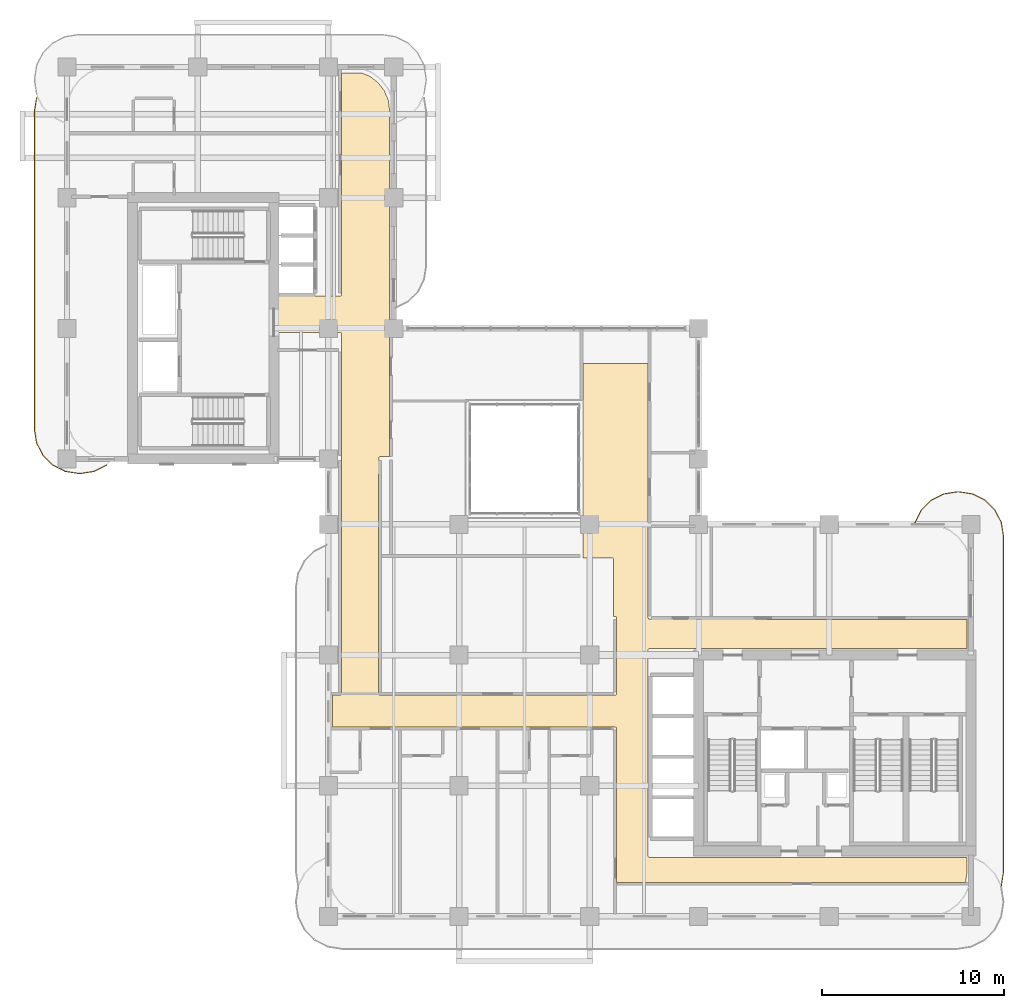
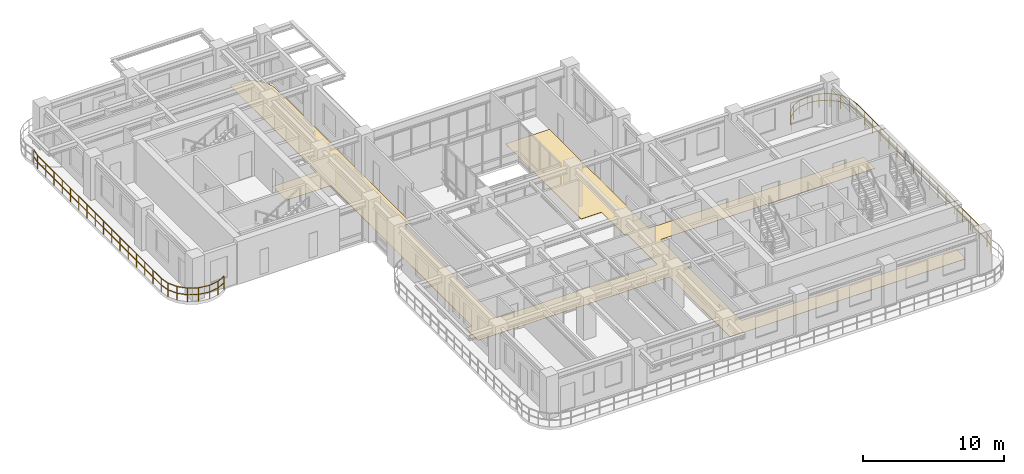
# One storey, part 19 of 20: 2 railings, 1 covering.
"""IFC4 building model written with IfcOpenShell, lengths in metres."""

from ifc_helpers import new_model, si_unit, derived_unit, direction, frame, origin, origin_2d, place, context, subcontext, project, spatial, polyline, rectangle, outline, extrude, material, layer, layer_set, type_object, element, save


model = new_model("IFC4")

# Units and contexts
model_context = context("Model", 3, precision=1e-05, world=origin(), true_north=direction((0.0, 1.0)))
body_context = subcontext(model_context, "Body", "Model", "MODEL_VIEW")
ifc_project = project(units=[si_unit("LENGTHUNIT", "METRE"), si_unit("AREAUNIT", "SQUARE_METRE"), si_unit("VOLUMEUNIT", "CUBIC_METRE"), si_unit("PLANEANGLEUNIT", "RADIAN"), si_unit("MASSUNIT", "GRAM", prefix="KILO"), si_unit("THERMODYNAMICTEMPERATUREUNIT", "KELVIN"), si_unit("POWERUNIT", "WATT"), derived_unit("THERMALTRANSMITTANCEUNIT", [(si_unit("POWERUNIT", "WATT"), 1), (si_unit("AREAUNIT", "SQUARE_METRE"), -1), (si_unit("THERMODYNAMICTEMPERATUREUNIT", "KELVIN"), -1)])], contexts=[model_context])

# Site, building, storey
site_placement = place(None, origin())
site = spatial("IfcSite", under=ifc_project, at=site_placement, CompositionType="ELEMENT")
building_placement = place(site_placement, origin())
building = spatial("IfcBuilding", under=site, at=building_placement, Name="Zahravan Archway Hotel and Residences", CompositionType="ELEMENT")
storey_placement = place(building_placement, frame((0.0, 0.0, 119.199951171875)))
storey = spatial("IfcBuildingStorey", under=building, at=storey_placement, Name="L29", CompositionType="ELEMENT", Elevation=119.199951171875)

# Covering
ifc_material_1 = material(Name="Engineered Walnut Parquet Flooring")
ifc_layer = layer(ifc_material_1, 0.02197265625, Name="Engineered Walnut Parquet Flooring")
ifc_layer_set = layer_set([ifc_layer], Name="Engineered Walnut Parquet Flooring")
covering_type = type_object("IfcCoveringType", Name="COV-FLR-TIMB", PredefinedType="FLOORING", material=ifc_layer_set)
covering_placement = place(storey_placement, origin())
element("IfcCovering", 1, at=covering_placement, inside=storey, type_object=covering_type, Name="L29 Circulation Floor Finish", PredefinedType="FLOORING", context=body_context, shape_type="SweptSolid", body=[
    extrude(outline(polyline([(32.09228515625, 14.754638671875), (32.04931640625, 14.73681640625), (32.0234375, 14.6982421875), (32.02001953125, 3.324951171875), (32.033447265625, 3.280517578125), (32.0693359375, 3.251220703125), (49.580078125, 3.2451171875), (49.580078125, 2.414306640625), (49.509521484375, 1.8798828125), (30.280029296875, 1.8798828125), (30.280029296875, 10.35009765625), (30.2666015625, 10.394287109375), (30.230712890625, 10.423828125), (14.6201171875, 10.429931640625), (14.6201171875, 12.18994140625), (15.050048828125, 12.18994140625), (15.094482421875, 12.20361328125), (15.123779296875, 12.239501953125), (15.1298828125, 32.10009765625), (15.116455078125, 32.144287109375), (15.08056640625, 32.173828125), (11.530029296875, 32.179931640625), (11.530029296875, 34.169921875), (15.050048828125, 34.169921875), (15.094482421875, 34.18359375), (15.123779296875, 34.219482421875), (15.1298828125, 46.469970703125), (16.24560546875, 46.469970703125), (16.689208984375, 46.286376953125), (17.14013671875, 45.940185546875), (17.486328125, 45.489013671875), (17.703857421875, 44.9638671875), (17.77001953125, 44.46142578125), (17.77001953125, 25.330078125), (17.25, 25.330078125), (17.20556640625, 25.31640625), (17.176025390625, 25.280517578125), (17.169921875, 12.27001953125), (17.18359375, 12.2255859375), (17.219482421875, 12.196044921875), (30.199951171875, 12.18994140625), (30.244384765625, 12.20361328125), (30.27392578125, 12.239501953125), (30.280029296875, 16.449951171875), (30.2666015625, 16.494384765625), (30.230712890625, 16.52392578125), (30.10009765625, 16.530029296875), (30.10009765625, 19.719970703125), (30.072998046875, 19.75), (28.429931640625, 19.75), (28.429931640625, 30.469970703125), (32.02001953125, 30.469970703125), (32.02001953125, 16.449951171875), (32.033447265625, 16.405517578125), (32.0693359375, 16.376220703125), (49.580078125, 16.3701171875), (49.580078125, 14.7548828125), (32.10009765625, 14.7548828125), (32.09228515625, 14.754638671875)])), origin(), (0.0, 0.0, 1.0), 0.02197265625),
])

# Railings
ifc_material_2 = material(Name="Bronze & Laminated Glass Balustrade", Category="glass")
railing_type = type_object("IfcRailingType", Name="RL-BAL-1200", PredefinedType="BALUSTRADE", material=ifc_material_2)
railing_1_placement = place(storey_placement, frame((46.719970703125, 21.70703125, 0.0)))
element("IfcRailing", 2, at=railing_1_placement, inside=storey, type_object=railing_type, Name="L29 Balustrade RL-SLB-BAL-L29-EA-1", PredefinedType="BALUSTRADE", context=body_context, shape_type="SweptSolid", body=[
    extrude(rectangle(XDim=0.048095703125, YDim=0.048095703125, at=origin_2d()), frame((0.0, 0.0, 1.17578125), z_axis=(0.453825591531, 0.891090529897, 0.0), x_axis=(-0.891090529897, 0.453825591531, 0.0)), (0.0, 0.0, 1.0), 0.7666015625),
    extrude(rectangle(XDim=0.048095703125, YDim=0.048095703125, at=origin_2d()), frame((0.0, 0.0, 0.60009765625), z_axis=(0.453825591531, 0.891090529897, 0.0), x_axis=(-0.891090529897, 0.453825591531, 0.0)), (0.0, 0.0, 1.0), 0.7666015625),
    extrude(rectangle(XDim=0.048095703125, YDim=0.048095703125, at=origin_2d()), frame((0.347900390625, 0.68310546875, 1.17578125), z_axis=(0.707106781187, 0.707106781187, 0.0), x_axis=(-0.707106781187, 0.707106781187, 0.0)), (0.0, 0.0, 1.0), 0.7666015625),
    extrude(rectangle(XDim=0.048095703125, YDim=0.048095703125, at=origin_2d()), frame((0.347900390625, 0.68310546875, 0.60009765625), z_axis=(0.707106781187, 0.707106781187, 0.0), x_axis=(-0.707106781187, 0.707106781187, 0.0)), (0.0, 0.0, 1.0), 0.7666015625),
    extrude(rectangle(XDim=0.048095703125, YDim=0.048095703125, at=origin_2d()), frame((0.889892578125, 1.22509765625, 1.17578125), z_axis=(0.891090529897, 0.453825591531, 0.0), x_axis=(-0.453825591531, 0.891090529897, 0.0)), (0.0, 0.0, 1.0), 0.7666015625),
    extrude(rectangle(XDim=0.048095703125, YDim=0.048095703125, at=origin_2d()), frame((0.889892578125, 1.22509765625, 0.60009765625), z_axis=(0.891090529897, 0.453825591531, 0.0), x_axis=(-0.453825591531, 0.891090529897, 0.0)), (0.0, 0.0, 1.0), 0.7666015625),
    extrude(rectangle(XDim=0.048095703125, YDim=0.048095703125, at=origin_2d()), frame((1.572998046875, 1.572998046875, 1.17578125), z_axis=(0.987695728695, 0.156387811283, 0.0), x_axis=(-0.156387811283, 0.987695728695, 0.0)), (0.0, 0.0, 1.0), 0.7666015625),
    extrude(rectangle(XDim=0.048095703125, YDim=0.048095703125, at=origin_2d()), frame((1.572998046875, 1.572998046875, 0.60009765625), z_axis=(0.987695728695, 0.156387811283, 0.0), x_axis=(-0.156387811283, 0.987695728695, 0.0)), (0.0, 0.0, 1.0), 0.7666015625),
    extrude(rectangle(XDim=0.048095703125, YDim=0.048095703125, at=origin_2d()), frame((2.330078125, 1.69287109375, 1.17578125), z_axis=(1.0, 0.0, 0.0), x_axis=(0.0, 1.0, 0.0)), (0.0, 0.0, 1.0), 0.099853515625),
    extrude(rectangle(XDim=0.048095703125, YDim=0.048095703125, at=origin_2d()), frame((2.330078125, 1.69287109375, 0.60009765625), z_axis=(1.0, 0.0, 0.0), x_axis=(0.0, 1.0, 0.0)), (0.0, 0.0, 1.0), 0.099853515625),
    extrude(rectangle(XDim=0.048095703125, YDim=0.048095703125, at=origin_2d()), frame((2.429931640625, 1.69287109375, 1.17578125), z_axis=(0.987695728695, -0.156387811283, 0.0), x_axis=(0.156387811283, 0.987695728695, 0.0)), (0.0, 0.0, 1.0), 0.7666015625),
    extrude(rectangle(XDim=0.048095703125, YDim=0.048095703125, at=origin_2d()), frame((2.429931640625, 1.69287109375, 0.60009765625), z_axis=(0.987695728695, -0.156387811283, 0.0), x_axis=(0.156387811283, 0.987695728695, 0.0)), (0.0, 0.0, 1.0), 0.7666015625),
    extrude(rectangle(XDim=0.048095703125, YDim=0.048095703125, at=origin_2d()), frame((3.18701171875, 1.572998046875, 1.17578125), z_axis=(0.891090529897, -0.453825591531, 0.0), x_axis=(0.453825591531, 0.891090529897, 0.0)), (0.0, 0.0, 1.0), 0.7666015625),
    extrude(rectangle(XDim=0.048095703125, YDim=0.048095703125, at=origin_2d()), frame((3.18701171875, 1.572998046875, 0.60009765625), z_axis=(0.891090529897, -0.453825591531, 0.0), x_axis=(0.453825591531, 0.891090529897, 0.0)), (0.0, 0.0, 1.0), 0.7666015625),
    extrude(rectangle(XDim=0.048095703125, YDim=0.048095703125, at=origin_2d()), frame((3.8701171875, 1.22509765625, 1.17578125), z_axis=(0.707106781187, -0.707106781187, 0.0), x_axis=(0.707106781187, 0.707106781187, 0.0)), (0.0, 0.0, 1.0), 0.7666015625),
    extrude(rectangle(XDim=0.048095703125, YDim=0.048095703125, at=origin_2d()), frame((3.8701171875, 1.22509765625, 0.60009765625), z_axis=(0.707106781187, -0.707106781187, 0.0), x_axis=(0.707106781187, 0.707106781187, 0.0)), (0.0, 0.0, 1.0), 0.7666015625),
    extrude(rectangle(XDim=0.048095703125, YDim=0.048095703125, at=origin_2d()), frame((4.412109375, 0.68310546875, 1.17578125), z_axis=(0.453825591531, -0.891090529897, 0.0), x_axis=(0.891090529897, 0.453825591531, 0.0)), (0.0, 0.0, 1.0), 0.7666015625),
    extrude(rectangle(XDim=0.048095703125, YDim=0.048095703125, at=origin_2d()), frame((4.412109375, 0.68310546875, 0.60009765625), z_axis=(0.453825591531, -0.891090529897, 0.0), x_axis=(0.891090529897, 0.453825591531, 0.0)), (0.0, 0.0, 1.0), 0.7666015625),
    extrude(rectangle(XDim=0.048095703125, YDim=0.048095703125, at=origin_2d()), frame((4.760009765625, 0.0, 1.17578125), z_axis=(0.156698507018, -0.987646484274, 0.0), x_axis=(0.987646484274, 0.156698507018, 0.0)), (0.0, 0.0, 1.0), 0.7666015625),
    extrude(rectangle(XDim=0.048095703125, YDim=0.048095703125, at=origin_2d()), frame((4.760009765625, 0.0, 0.60009765625), z_axis=(0.156698507018, -0.987646484274, 0.0), x_axis=(0.987646484274, 0.156698507018, 0.0)), (0.0, 0.0, 1.0), 0.7666015625),
    extrude(rectangle(XDim=0.048095703125, YDim=0.048095703125, at=origin_2d()), frame((4.880126953125, -0.757080078125, 1.17578125), z_axis=(0.0, -1.0, 0.0), x_axis=(1.0, 0.0, 0.0)), (0.0, 0.0, 1.0), 18.5),
    extrude(rectangle(XDim=0.048095703125, YDim=0.048095703125, at=origin_2d()), frame((4.880126953125, -0.757080078125, 0.60009765625), z_axis=(0.0, -1.0, 0.0), x_axis=(1.0, 0.0, 0.0)), (0.0, 0.0, 1.0), 18.5),
    extrude(rectangle(XDim=0.048095703125, YDim=0.048095703125, at=origin_2d()), frame((4.880126953125, -19.257080078125, 1.17578125), z_axis=(-0.156698507018, -0.987646484274, 0.0), x_axis=(0.987646484274, -0.156698507018, 0.0)), (0.0, 0.0, 1.0), 0.7666015625),
    extrude(rectangle(XDim=0.048095703125, YDim=0.048095703125, at=origin_2d()), frame((4.880126953125, -19.257080078125, 0.60009765625), z_axis=(-0.156698507018, -0.987646484274, 0.0), x_axis=(0.987646484274, -0.156698507018, 0.0)), (0.0, 0.0, 1.0), 0.7666015625),
    extrude(rectangle(XDim=0.0419921875, YDim=0.0419921875, at=origin_2d()), origin(), (0.0, 0.0, 1.0), 1.15185546875),
    extrude(rectangle(XDim=0.0419921875, YDim=0.0419921875, at=origin_2d()), frame((0.347900390625, 0.68310546875, 0.0)), (0.0, 0.0, 1.0), 1.15185546875),
    extrude(rectangle(XDim=0.0419921875, YDim=0.0419921875, at=origin_2d()), frame((0.889892578125, 1.22509765625, 0.0)), (0.0, 0.0, 1.0), 1.15185546875),
    extrude(rectangle(XDim=0.0419921875, YDim=0.0419921875, at=origin_2d()), frame((1.572998046875, 1.572998046875, 0.0)), (0.0, 0.0, 1.0), 1.15185546875),
    extrude(rectangle(XDim=0.0419921875, YDim=0.0419921875, at=origin_2d()), frame((2.330078125, 1.69287109375, 0.0)), (0.0, 0.0, 1.0), 1.15185546875),
    extrude(rectangle(XDim=0.0419921875, YDim=0.0419921875, at=origin_2d()), frame((3.18701171875, 1.572998046875, 0.0)), (0.0, 0.0, 1.0), 1.15185546875),
    extrude(rectangle(XDim=0.0419921875, YDim=0.0419921875, at=origin_2d()), frame((3.8701171875, 1.22509765625, 0.0)), (0.0, 0.0, 1.0), 1.15185546875),
    extrude(rectangle(XDim=0.0419921875, YDim=0.0419921875, at=origin_2d()), frame((4.412109375, 0.68310546875, 0.0)), (0.0, 0.0, 1.0), 1.15185546875),
    extrude(rectangle(XDim=0.0419921875, YDim=0.0419921875, at=origin_2d()), frame((4.760009765625, 0.0, 0.0)), (0.0, 0.0, 1.0), 1.15185546875),
    extrude(rectangle(XDim=0.0419921875, YDim=0.0419921875, at=origin_2d()), frame((4.880126953125, -0.757080078125, 0.0)), (0.0, 0.0, 1.0), 1.15185546875),
    extrude(rectangle(XDim=0.0419921875, YDim=0.0419921875, at=origin_2d()), frame((4.880126953125, -1.913330078125, 0.0)), (0.0, 0.0, 1.0), 1.15185546875),
    extrude(rectangle(XDim=0.0419921875, YDim=0.0419921875, at=origin_2d()), frame((4.880126953125, -3.069580078125, 0.0)), (0.0, 0.0, 1.0), 1.15185546875),
    extrude(rectangle(XDim=0.0419921875, YDim=0.0419921875, at=origin_2d()), frame((4.880126953125, -4.225830078125, 0.0)), (0.0, 0.0, 1.0), 1.15185546875),
    extrude(rectangle(XDim=0.0419921875, YDim=0.0419921875, at=origin_2d()), frame((4.880126953125, -5.382080078125, 0.0)), (0.0, 0.0, 1.0), 1.15185546875),
    extrude(rectangle(XDim=0.0419921875, YDim=0.0419921875, at=origin_2d()), frame((4.880126953125, -6.538330078125, 0.0)), (0.0, 0.0, 1.0), 1.15185546875),
    extrude(rectangle(XDim=0.0419921875, YDim=0.0419921875, at=origin_2d()), frame((4.880126953125, -7.694580078125, 0.0)), (0.0, 0.0, 1.0), 1.15185546875),
    extrude(rectangle(XDim=0.0419921875, YDim=0.0419921875, at=origin_2d()), frame((4.880126953125, -8.850830078125, 0.0)), (0.0, 0.0, 1.0), 1.15185546875),
    extrude(rectangle(XDim=0.0419921875, YDim=0.0419921875, at=origin_2d()), frame((4.880126953125, -10.007080078125, 0.0)), (0.0, 0.0, 1.0), 1.15185546875),
    extrude(rectangle(XDim=0.0419921875, YDim=0.0419921875, at=origin_2d()), frame((4.880126953125, -11.163330078125, 0.0)), (0.0, 0.0, 1.0), 1.15185546875),
    extrude(rectangle(XDim=0.0419921875, YDim=0.0419921875, at=origin_2d()), frame((4.880126953125, -12.319580078125, 0.0)), (0.0, 0.0, 1.0), 1.15185546875),
    extrude(rectangle(XDim=0.0419921875, YDim=0.0419921875, at=origin_2d()), frame((4.880126953125, -13.475830078125, 0.0)), (0.0, 0.0, 1.0), 1.15185546875),
    extrude(rectangle(XDim=0.0419921875, YDim=0.0419921875, at=origin_2d()), frame((4.880126953125, -14.632080078125, 0.0)), (0.0, 0.0, 1.0), 1.15185546875),
    extrude(rectangle(XDim=0.0419921875, YDim=0.0419921875, at=origin_2d()), frame((4.880126953125, -15.788330078125, 0.0)), (0.0, 0.0, 1.0), 1.15185546875),
    extrude(rectangle(XDim=0.0419921875, YDim=0.0419921875, at=origin_2d()), frame((4.880126953125, -16.944580078125, 0.0)), (0.0, 0.0, 1.0), 1.15185546875),
    extrude(rectangle(XDim=0.0419921875, YDim=0.0419921875, at=origin_2d()), frame((4.880126953125, -18.100830078125, 0.0)), (0.0, 0.0, 1.0), 1.15185546875),
    extrude(rectangle(XDim=0.0419921875, YDim=0.0419921875, at=origin_2d()), frame((4.880126953125, -19.257080078125, 0.0)), (0.0, 0.0, 1.0), 1.15185546875),
    extrude(rectangle(XDim=0.0419921875, YDim=0.0419921875, at=origin_2d()), frame((4.760009765625, -20.01416015625, 0.0)), (0.0, 0.0, 1.0), 1.15185546875),
])
railing_2_placement = place(storey_placement, frame((2.190185546875, 24.867919921875, 0.0)))
element("IfcRailing", 3, at=railing_2_placement, inside=storey, type_object=railing_type, Name="L29 Balustrade RL-SLB-BAL-L29-WB-1", PredefinedType="BALUSTRADE", context=body_context, shape_type="SweptSolid", body=[
    extrude(rectangle(XDim=0.048095703125, YDim=0.048095703125, at=origin_2d()), frame((0.0, 0.0, 1.17578125), z_axis=(-0.891090529897, -0.453825591531, 0.0), x_axis=(0.453825591531, -0.891090529897, 0.0)), (0.0, 0.0, 1.0), 0.7666015625),
    extrude(rectangle(XDim=0.048095703125, YDim=0.048095703125, at=origin_2d()), frame((0.0, 0.0, 0.60009765625), z_axis=(-0.891090529897, -0.453825591531, 0.0), x_axis=(0.453825591531, -0.891090529897, 0.0)), (0.0, 0.0, 1.0), 0.7666015625),
    extrude(rectangle(XDim=0.048095703125, YDim=0.048095703125, at=origin_2d()), frame((-0.68310546875, -0.347900390625, 1.17578125), z_axis=(-0.987646484274, -0.156698507018, 0.0), x_axis=(0.156698507018, -0.987646484274, 0.0)), (0.0, 0.0, 1.0), 0.7666015625),
    extrude(rectangle(XDim=0.048095703125, YDim=0.048095703125, at=origin_2d()), frame((-0.68310546875, -0.347900390625, 0.60009765625), z_axis=(-0.987646484274, -0.156698507018, 0.0), x_axis=(0.156698507018, -0.987646484274, 0.0)), (0.0, 0.0, 1.0), 0.7666015625),
    extrude(rectangle(XDim=0.048095703125, YDim=0.048095703125, at=origin_2d()), frame((-1.440185546875, -0.468017578125, 1.17578125), z_axis=(-1.0, 0.0, 0.0), x_axis=(0.0, -1.0, 0.0)), (0.0, 0.0, 1.0), 0.10009765625),
    extrude(rectangle(XDim=0.048095703125, YDim=0.048095703125, at=origin_2d()), frame((-1.440185546875, -0.468017578125, 0.60009765625), z_axis=(-1.0, 0.0, 0.0), x_axis=(0.0, -1.0, 0.0)), (0.0, 0.0, 1.0), 0.10009765625),
    extrude(rectangle(XDim=0.048095703125, YDim=0.048095703125, at=origin_2d()), frame((-1.540283203125, -0.468017578125, 1.17578125), z_axis=(-0.987646484274, 0.156698507018, 0.0), x_axis=(-0.156698507018, -0.987646484274, 0.0)), (0.0, 0.0, 1.0), 0.7666015625),
    extrude(rectangle(XDim=0.048095703125, YDim=0.048095703125, at=origin_2d()), frame((-1.540283203125, -0.468017578125, 0.60009765625), z_axis=(-0.987646484274, 0.156698507018, 0.0), x_axis=(-0.156698507018, -0.987646484274, 0.0)), (0.0, 0.0, 1.0), 0.7666015625),
    extrude(rectangle(XDim=0.048095703125, YDim=0.048095703125, at=origin_2d()), frame((-2.29736328125, -0.347900390625, 1.17578125), z_axis=(-0.891024909783, 0.453954414172, 0.0), x_axis=(-0.453954414172, -0.891024909783, 0.0)), (0.0, 0.0, 1.0), 0.766357421875),
    extrude(rectangle(XDim=0.048095703125, YDim=0.048095703125, at=origin_2d()), frame((-2.29736328125, -0.347900390625, 0.60009765625), z_axis=(-0.891024909783, 0.453954414172, 0.0), x_axis=(-0.453954414172, -0.891024909783, 0.0)), (0.0, 0.0, 1.0), 0.766357421875),
    extrude(rectangle(XDim=0.048095703125, YDim=0.048095703125, at=origin_2d()), frame((-2.980224609375, 0.0, 1.17578125), z_axis=(-0.707106781187, 0.707106781187, 0.0), x_axis=(-0.707106781187, -0.707106781187, 0.0)), (0.0, 0.0, 1.0), 0.7666015625),
    extrude(rectangle(XDim=0.048095703125, YDim=0.048095703125, at=origin_2d()), frame((-2.980224609375, 0.0, 0.60009765625), z_axis=(-0.707106781187, 0.707106781187, 0.0), x_axis=(-0.707106781187, -0.707106781187, 0.0)), (0.0, 0.0, 1.0), 0.7666015625),
    extrude(rectangle(XDim=0.048095703125, YDim=0.048095703125, at=origin_2d()), frame((-3.522216796875, 0.5419921875, 1.17578125), z_axis=(-0.454078418624, 0.890961721815, 0.0), x_axis=(-0.890961721815, -0.454078418624, 0.0)), (0.0, 0.0, 1.0), 0.7666015625),
    extrude(rectangle(XDim=0.048095703125, YDim=0.048095703125, at=origin_2d()), frame((-3.522216796875, 0.5419921875, 0.60009765625), z_axis=(-0.454078418624, 0.890961721815, 0.0), x_axis=(-0.890961721815, -0.454078418624, 0.0)), (0.0, 0.0, 1.0), 0.7666015625),
    extrude(rectangle(XDim=0.048095703125, YDim=0.048095703125, at=origin_2d()), frame((-3.870361328125, 1.22509765625, 1.17578125), z_axis=(-0.156387811283, 0.987695728695, 0.0), x_axis=(-0.987695728695, -0.156387811283, 0.0)), (0.0, 0.0, 1.0), 0.7666015625),
    extrude(rectangle(XDim=0.048095703125, YDim=0.048095703125, at=origin_2d()), frame((-3.870361328125, 1.22509765625, 0.60009765625), z_axis=(-0.156387811283, 0.987695728695, 0.0), x_axis=(-0.987695728695, -0.156387811283, 0.0)), (0.0, 0.0, 1.0), 0.7666015625),
    extrude(rectangle(XDim=0.048095703125, YDim=0.048095703125, at=origin_2d()), frame((-3.990234375, 1.982177734375, 1.17578125), z_axis=(0.0, 1.0, 0.0), x_axis=(-1.0, 0.0, 0.0)), (0.0, 0.0, 1.0), 17.5),
    extrude(rectangle(XDim=0.048095703125, YDim=0.048095703125, at=origin_2d()), frame((-3.990234375, 1.982177734375, 0.60009765625), z_axis=(0.0, 1.0, 0.0), x_axis=(-1.0, 0.0, 0.0)), (0.0, 0.0, 1.0), 17.5),
    extrude(rectangle(XDim=0.048095703125, YDim=0.048095703125, at=origin_2d()), frame((-3.990234375, 19.482177734375, 1.17578125), z_axis=(0.156387811283, 0.987695728695, 0.0), x_axis=(-0.987695728695, 0.156387811283, 0.0)), (0.0, 0.0, 1.0), 0.7666015625),
    extrude(rectangle(XDim=0.048095703125, YDim=0.048095703125, at=origin_2d()), frame((-3.990234375, 19.482177734375, 0.60009765625), z_axis=(0.156387811283, 0.987695728695, 0.0), x_axis=(-0.987695728695, 0.156387811283, 0.0)), (0.0, 0.0, 1.0), 0.7666015625),
    extrude(rectangle(XDim=0.0419921875, YDim=0.0419921875, at=origin_2d()), origin(), (0.0, 0.0, 1.0), 1.15185546875),
    extrude(rectangle(XDim=0.0419921875, YDim=0.0419921875, at=origin_2d()), frame((-0.68310546875, -0.347900390625, 0.0)), (0.0, 0.0, 1.0), 1.15185546875),
    extrude(rectangle(XDim=0.0419921875, YDim=0.0419921875, at=origin_2d()), frame((-1.440185546875, -0.468017578125, 0.0)), (0.0, 0.0, 1.0), 1.15185546875),
    extrude(rectangle(XDim=0.0419921875, YDim=0.0419921875, at=origin_2d()), frame((-2.29736328125, -0.347900390625, 0.0)), (0.0, 0.0, 1.0), 1.15185546875),
    extrude(rectangle(XDim=0.0419921875, YDim=0.0419921875, at=origin_2d()), frame((-2.980224609375, 0.0, 0.0)), (0.0, 0.0, 1.0), 1.15185546875),
    extrude(rectangle(XDim=0.0419921875, YDim=0.0419921875, at=origin_2d()), frame((-3.522216796875, 0.5419921875, 0.0)), (0.0, 0.0, 1.0), 1.15185546875),
    extrude(rectangle(XDim=0.0419921875, YDim=0.0419921875, at=origin_2d()), frame((-3.870361328125, 1.22509765625, 0.0)), (0.0, 0.0, 1.0), 1.15185546875),
    extrude(rectangle(XDim=0.0419921875, YDim=0.0419921875, at=origin_2d()), frame((-3.990234375, 1.982177734375, 0.0)), (0.0, 0.0, 1.0), 1.15185546875),
    extrude(rectangle(XDim=0.0419921875, YDim=0.0419921875, at=origin_2d()), frame((-3.990234375, 3.14892578125, 0.0)), (0.0, 0.0, 1.0), 1.15185546875),
    extrude(rectangle(XDim=0.0419921875, YDim=0.0419921875, at=origin_2d()), frame((-3.990234375, 4.3154296875, 0.0)), (0.0, 0.0, 1.0), 1.15185546875),
    extrude(rectangle(XDim=0.0419921875, YDim=0.0419921875, at=origin_2d()), frame((-3.990234375, 5.482177734375, 0.0)), (0.0, 0.0, 1.0), 1.15185546875),
    extrude(rectangle(XDim=0.0419921875, YDim=0.0419921875, at=origin_2d()), frame((-3.990234375, 6.64892578125, 0.0)), (0.0, 0.0, 1.0), 1.15185546875),
    extrude(rectangle(XDim=0.0419921875, YDim=0.0419921875, at=origin_2d()), frame((-3.990234375, 7.8154296875, 0.0)), (0.0, 0.0, 1.0), 1.15185546875),
    extrude(rectangle(XDim=0.0419921875, YDim=0.0419921875, at=origin_2d()), frame((-3.990234375, 8.982177734375, 0.0)), (0.0, 0.0, 1.0), 1.15185546875),
    extrude(rectangle(XDim=0.0419921875, YDim=0.0419921875, at=origin_2d()), frame((-3.990234375, 10.14892578125, 0.0)), (0.0, 0.0, 1.0), 1.15185546875),
    extrude(rectangle(XDim=0.0419921875, YDim=0.0419921875, at=origin_2d()), frame((-3.990234375, 11.3154296875, 0.0)), (0.0, 0.0, 1.0), 1.15185546875),
    extrude(rectangle(XDim=0.0419921875, YDim=0.0419921875, at=origin_2d()), frame((-3.990234375, 12.482177734375, 0.0)), (0.0, 0.0, 1.0), 1.15185546875),
    extrude(rectangle(XDim=0.0419921875, YDim=0.0419921875, at=origin_2d()), frame((-3.990234375, 13.64892578125, 0.0)), (0.0, 0.0, 1.0), 1.15185546875),
    extrude(rectangle(XDim=0.0419921875, YDim=0.0419921875, at=origin_2d()), frame((-3.990234375, 14.8154296875, 0.0)), (0.0, 0.0, 1.0), 1.15185546875),
    extrude(rectangle(XDim=0.0419921875, YDim=0.0419921875, at=origin_2d()), frame((-3.990234375, 15.982177734375, 0.0)), (0.0, 0.0, 1.0), 1.15185546875),
    extrude(rectangle(XDim=0.0419921875, YDim=0.0419921875, at=origin_2d()), frame((-3.990234375, 17.14892578125, 0.0)), (0.0, 0.0, 1.0), 1.15185546875),
    extrude(rectangle(XDim=0.0419921875, YDim=0.0419921875, at=origin_2d()), frame((-3.990234375, 18.3154296875, 0.0)), (0.0, 0.0, 1.0), 1.15185546875),
    extrude(rectangle(XDim=0.0419921875, YDim=0.0419921875, at=origin_2d()), frame((-3.990234375, 19.482177734375, 0.0)), (0.0, 0.0, 1.0), 1.15185546875),
    extrude(rectangle(XDim=0.0419921875, YDim=0.0419921875, at=origin_2d()), frame((-3.870361328125, 20.2392578125, 0.0)), (0.0, 0.0, 1.0), 1.15185546875),
])

save(model, "model.ifc")
